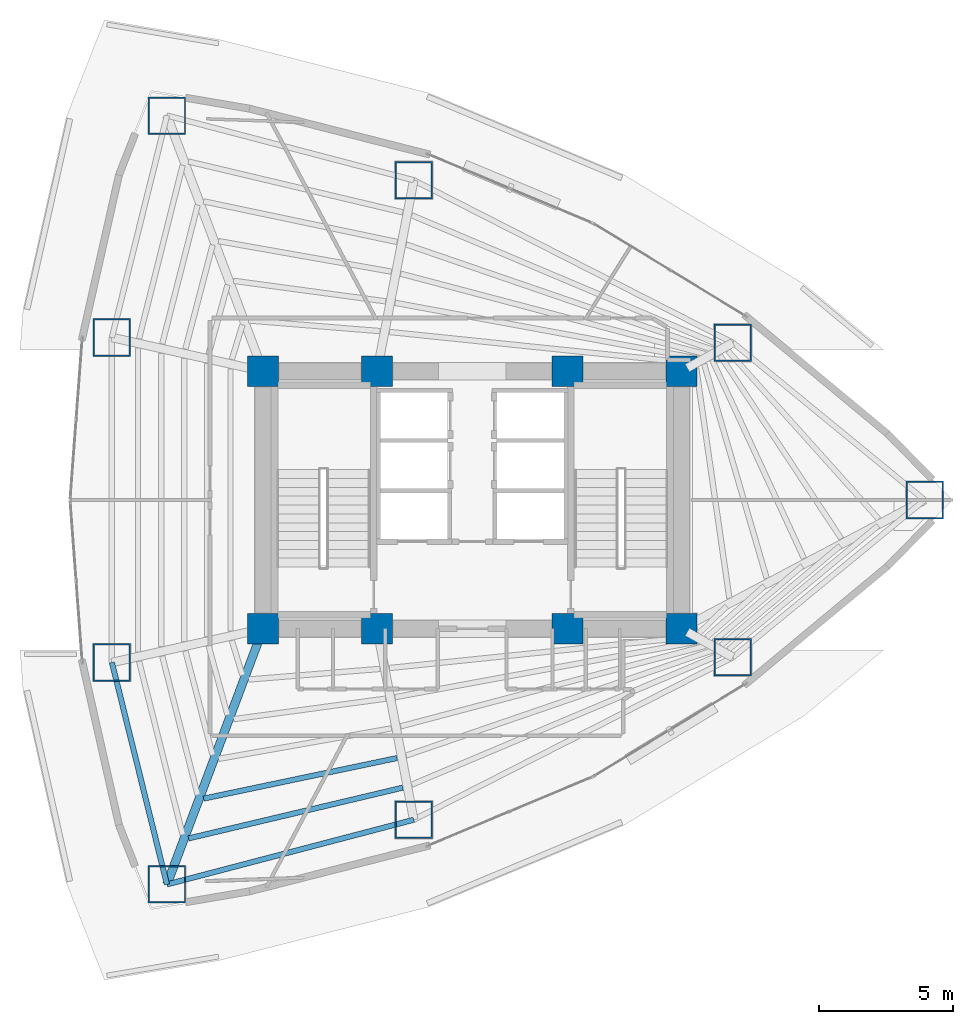
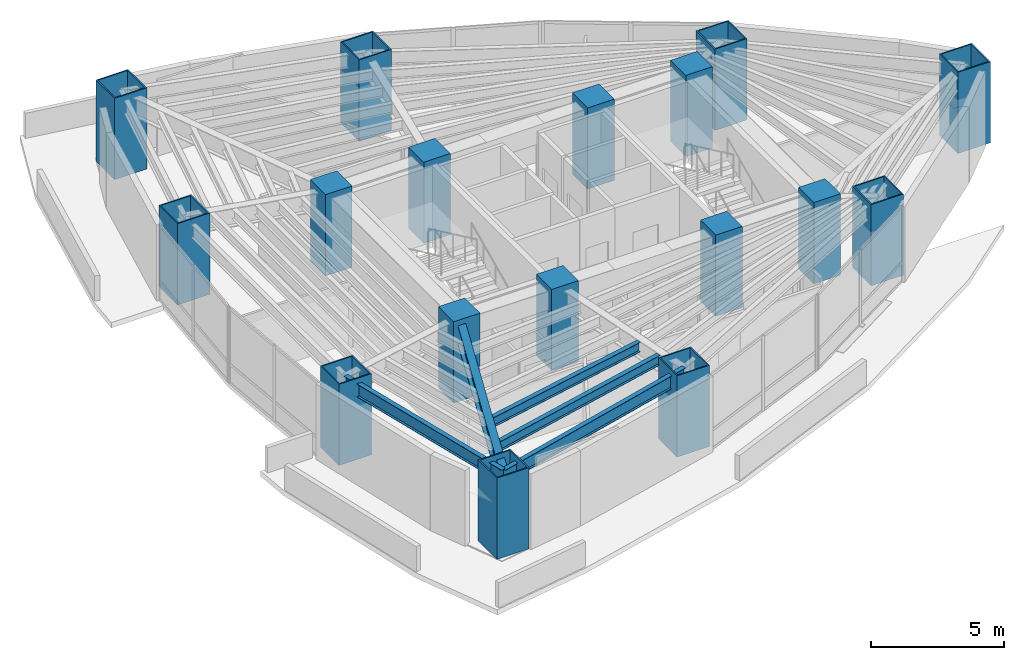
# One storey, part 1 of 17: 17 columns, 5 beams.
"""IFC4 building model written with IfcOpenShell, lengths in metres."""

from ifc_helpers import new_model, si_unit, direction, frame, origin, origin_2d, place, context, subcontext, project, spatial, rectangle, hollow_rectangle, i_section, extrude, material, material_profile, profile_set, type_object, element, save


model = new_model("IFC4")

# Units and contexts
model_context = context("Model", 3, precision=1e-05, world=origin(), true_north=direction((0.0, 1.0)))
body_context = subcontext(model_context, "Body", "Model", "MODEL_VIEW")
ifc_project = project(units=[si_unit("LENGTHUNIT", "METRE"), si_unit("AREAUNIT", "SQUARE_METRE"), si_unit("VOLUMEUNIT", "CUBIC_METRE"), si_unit("PLANEANGLEUNIT", "RADIAN"), si_unit("MASSUNIT", "GRAM", prefix="KILO")], contexts=[model_context])

# Site, building, storey
site_placement = place(None, origin())
site = spatial("IfcSite", under=ifc_project, at=site_placement, CompositionType="ELEMENT")
building_placement = place(site_placement, origin())
building = spatial("IfcBuilding", under=site, at=building_placement, Name="Menara Vayukalpa", CompositionType="ELEMENT")
storey_placement = place(building_placement, frame((0.0, 0.0, 27.60009765625)))
storey = spatial("IfcBuildingStorey", under=building, at=storey_placement, Name="L05", CompositionType="ELEMENT", Elevation=27.60009765625)

# Columns
ifc_material_1 = material(Name="Concrete C80/95", Category="concrete")
ifc_material_profile_1 = material_profile(ifc_material_1, rectangle(XDim=1.14990234375, YDim=1.14990234375, at=origin_2d()), Name="RC 1150x1150")
ifc_profile_set_1 = profile_set([ifc_material_profile_1], Name="Concrete C80/95")
column_type_1 = type_object("IfcColumnType", Name="COL-CC1", PredefinedType="COLUMN", material=ifc_profile_set_1)
for number, where, z_axis, x_axis, name in (
    (1, (17.800048828125, 17.199951171875, 0.0), (0.0, 0.0, 1.0), (1.0, 0.0, 0.0), "L05 Core Pilaster Column CC1"),
    (2, (22.050048828125, 17.199951171875, 0.0), (0.0, 0.0, 1.0), (1.0, 0.0, 0.0), "L05 Core Pilaster Column CC2"),
    (3, (29.14990234375, 17.199951171875, 0.0), (0.0, 0.0, 1.0), (1.0, 0.0, 0.0), "L05 Core Pilaster Column CC3"),
    (4, (33.39990234375, 17.199951171875, 0.0), (0.0, 0.0, 1.0), (1.0, 0.0, 0.0), "L05 Core Pilaster Column CC4"),
    (5, (17.800048828125, 26.800048828125, 0.0), (0.0, 0.0, 1.0), (1.0, 0.0, 0.0), "L05 Core Pilaster Column CC5"),
    (6, (22.050048828125, 26.800048828125, 0.0), (0.0, 0.0, 1.0), (1.0, 0.0, 0.0), "L05 Core Pilaster Column CC6"),
    (7, (29.14990234375, 26.800048828125, 0.0), (0.0, 0.0, 1.0), (1.0, 0.0, 0.0), "L05 Core Pilaster Column CC7"),
    (8, (33.39990234375, 26.800048828125, 0.0), (0.0, 0.0, 1.0), (1.0, 0.0, 0.0), "L05 Core Pilaster Column CC8"),
):
    element("IfcColumn", number, at=place(storey_placement, frame(where, z_axis=z_axis, x_axis=x_axis)), inside=storey, type_object=column_type_1, Name=name, PredefinedType="COLUMN", context=body_context, shape_type="SweptSolid", body=[
        extrude(rectangle(XDim=1.14990234375, YDim=1.14990234375, at=origin_2d()), origin(), (0.0, 0.0, 1.0), 3.719970703125),
    ])
ifc_material_2 = material(Name="Steel S460", Category="steel")
ifc_material_profile_2 = material_profile(ifc_material_2, hollow_rectangle(XDim=1.39990234375, YDim=1.39990234375, WallThickness=0.054931640625, at=origin_2d()), Name="BOX 1400x1400x55")
ifc_profile_set_2 = profile_set([ifc_material_profile_2], Name="Steel S460")
column_type_2 = type_object("IfcColumnType", Name="COL-MC1", PredefinedType="COLUMN", material=ifc_profile_set_2)
for number, where, z_axis, x_axis, name in (
    (9, (42.46484375, 22.0, 0.0), (0.0, 0.0, 1.0), (1.0, 0.0, 0.0), "L05 Perimeter Mega Column P01"),
    (10, (35.318115234375, 27.86328125, 0.0), (0.0, 0.0, 1.0), (1.0, 0.0, 0.0), "L05 Perimeter Mega Column P02"),
    (11, (23.41943359375, 33.9228515625, 0.0), (0.0, 0.0, 1.0), (1.0, 0.0, 0.0), "L05 Perimeter Mega Column P03"),
    (12, (14.217529296875, 36.33447265625, 0.0), (0.0, 0.0, 1.0), (1.0, 0.0, 0.0), "L05 Perimeter Mega Column P04"),
    (13, (12.164306640625, 28.0595703125, 0.0), (0.0, 0.0, 1.0), (1.0, 0.0, 0.0), "L05 Perimeter Mega Column P05"),
    (14, (12.164306640625, 15.9404296875, 0.0), (0.0, 0.0, 1.0), (1.0, 0.0, 0.0), "L05 Perimeter Mega Column P06"),
    (15, (14.217529296875, 7.66552734375, 0.0), (0.0, 0.0, 1.0), (1.0, 0.0, 0.0), "L05 Perimeter Mega Column P07"),
    (16, (23.41943359375, 10.0771484375, 0.0), (0.0, 0.0, 1.0), (1.0, 0.0, 0.0), "L05 Perimeter Mega Column P08"),
    (17, (35.318115234375, 16.13671875, 0.0), (0.0, 0.0, 1.0), (1.0, 0.0, 0.0), "L05 Perimeter Mega Column P09"),
):
    element("IfcColumn", number, at=place(storey_placement, frame(where, z_axis=z_axis, x_axis=x_axis)), inside=storey, type_object=column_type_2, Name=name, PredefinedType="COLUMN", context=body_context, shape_type="SweptSolid", body=[
        extrude(hollow_rectangle(XDim=1.39990234375, YDim=1.39990234375, WallThickness=0.054931640625, at=origin_2d()), origin(), (0.0, 0.0, 1.0), 3.719970703125),
    ])

# Beams
ifc_material_3 = material(Name="Steel S355", Category="steel")
ifc_material_profile_3 = material_profile(ifc_material_3, i_section(OverallWidth=0.320068359375, OverallDepth=0.85009765625, WebThickness=0.01611328125, FlangeThickness=0.030029296875, at=origin_2d()), Name="WF 850x320x16x30")
ifc_profile_set_3 = profile_set([ifc_material_profile_3], Name="Steel S355")
beam_type_1 = type_object("IfcBeamType", Name="BM-PG2", PredefinedType="BEAM", material=ifc_profile_set_3)
beam_1_placement = place(storey_placement, frame((17.712158203125, 16.966064453125, 3.044921875), z_axis=(-0.351734656537, -0.93609974436, 0.0), x_axis=(0.93609974436, -0.351734656537, 0.0)))
element("IfcBeam", 18, at=beam_1_placement, inside=storey, type_object=beam_type_1, Name="L05 Primary Radial Girder RG07", PredefinedType="BEAM", context=body_context, shape_type="SweptSolid", body=[
    extrude(i_section(OverallWidth=0.320068359375, OverallDepth=0.85009765625, WebThickness=0.01611328125, FlangeThickness=0.030029296875, at=origin_2d()), origin(), (0.0, 0.0, 1.0), 9.935302734375),
])
ifc_material_4 = material(Name="Steel S355", Category="steel")
ifc_material_profile_4 = material_profile(ifc_material_4, i_section(OverallWidth=0.199951171875, OverallDepth=0.449951171875, WebThickness=0.009033203125, FlangeThickness=0.013916015625, at=origin_2d()), Name="WF 450x200x9x14")
ifc_profile_set_4 = profile_set([ifc_material_profile_4], Name="Steel S355")
beam_type_2 = type_object("IfcBeamType", Name="BM-SJ1", PredefinedType="JOIST", material=ifc_profile_set_4)
beam_2_placement = place(storey_placement, frame((15.581787109375, 10.86474609375, 3.244873046875), z_axis=(0.978676146728, 0.205409346977, 0.0), x_axis=(-0.205409346977, 0.978676146728, 0.0)))
element("IfcBeam", 19, at=beam_2_placement, inside=storey, type_object=beam_type_2, Name="L05 Secondary Floor Joist SJ07-4", PredefinedType="JOIST", context=body_context, shape_type="SweptSolid", body=[
    extrude(i_section(OverallWidth=0.199951171875, OverallDepth=0.449951171875, WebThickness=0.009033203125, FlangeThickness=0.013916015625, at=origin_2d()), origin(), (0.0, 0.0, 1.0), 7.369140625),
])
beam_3_placement = place(storey_placement, frame((15.021728515625, 9.381103515625, 3.244873046875), z_axis=(0.97303971213, 0.23063763487, 0.0), x_axis=(-0.23063763487, 0.97303971213, 0.0)))
element("IfcBeam", 20, at=beam_3_placement, inside=storey, type_object=beam_type_2, Name="L05 Secondary Floor Joist SJ07-5", PredefinedType="JOIST", context=body_context, shape_type="SweptSolid", body=[
    extrude(i_section(OverallWidth=0.199951171875, OverallDepth=0.449951171875, WebThickness=0.009033203125, FlangeThickness=0.013916015625, at=origin_2d()), origin(), (0.0, 0.0, 1.0), 8.205810546875),
])
ifc_material_5 = material(Name="Steel S355", Category="steel")
ifc_material_profile_5 = material_profile(ifc_material_5, i_section(OverallWidth=0.199951171875, OverallDepth=0.60009765625, WebThickness=0.010986328125, FlangeThickness=0.01708984375, at=origin_2d()), Name="WF 600x200x11x17")
ifc_profile_set_5 = profile_set([ifc_material_profile_5], Name="Steel S355")
beam_type_3 = type_object("IfcBeamType", Name="BM-SP1", PredefinedType="SPANDREL", material=ifc_profile_set_5)
beam_4_placement = place(storey_placement, frame((12.164306640625, 15.9404296875, 3.169921875), z_axis=(0.240823860364, -0.970568837476, 0.0), x_axis=(0.970568837476, 0.240823860364, 0.0)))
element("IfcBeam", 21, at=beam_4_placement, inside=storey, type_object=beam_type_3, Name="L05 Perimeter Spandrel Beam SP06", PredefinedType="SPANDREL", context=body_context, shape_type="SweptSolid", body=[
    extrude(i_section(OverallWidth=0.199951171875, OverallDepth=0.60009765625, WebThickness=0.010986328125, FlangeThickness=0.01708984375, at=origin_2d()), origin(), (0.0, 0.0, 1.0), 8.52587890625),
])
beam_5_placement = place(storey_placement, frame((14.217529296875, 7.66552734375, 3.169921875), z_axis=(0.967331024421, 0.253516644802, 0.0), x_axis=(-0.253516644802, 0.967331024421, 0.0)))
element("IfcBeam", 22, at=beam_5_placement, inside=storey, type_object=beam_type_3, Name="L05 Perimeter Spandrel Beam SP07", PredefinedType="SPANDREL", context=body_context, shape_type="SweptSolid", body=[
    extrude(i_section(OverallWidth=0.199951171875, OverallDepth=0.60009765625, WebThickness=0.010986328125, FlangeThickness=0.01708984375, at=origin_2d()), origin(), (0.0, 0.0, 1.0), 9.5126953125),
])

save(model, "model.ifc")
